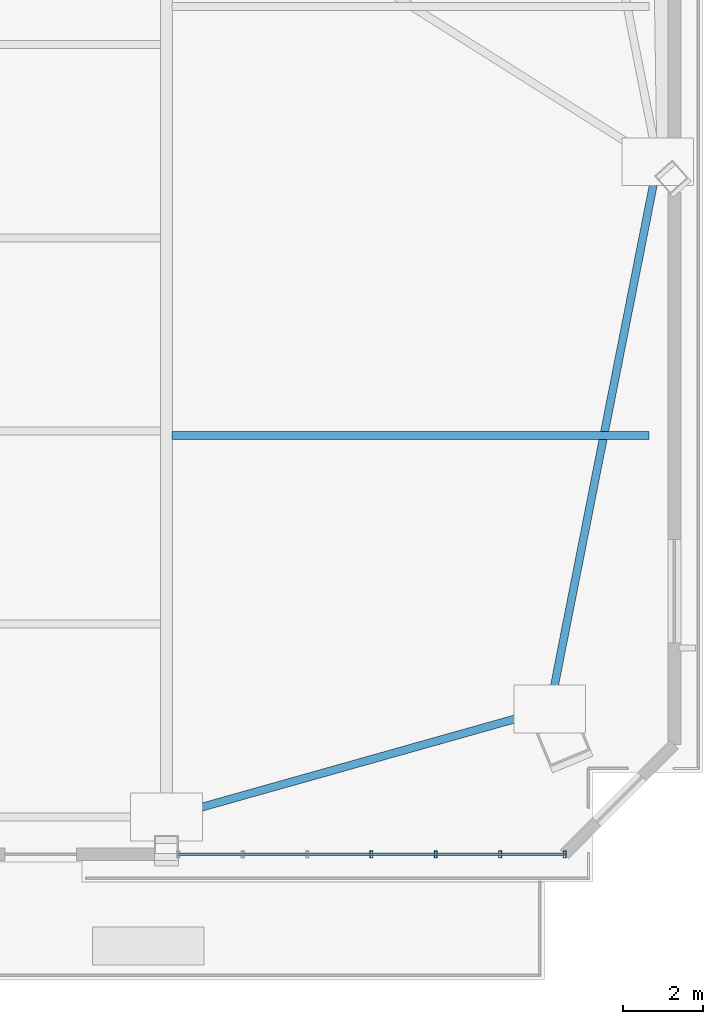
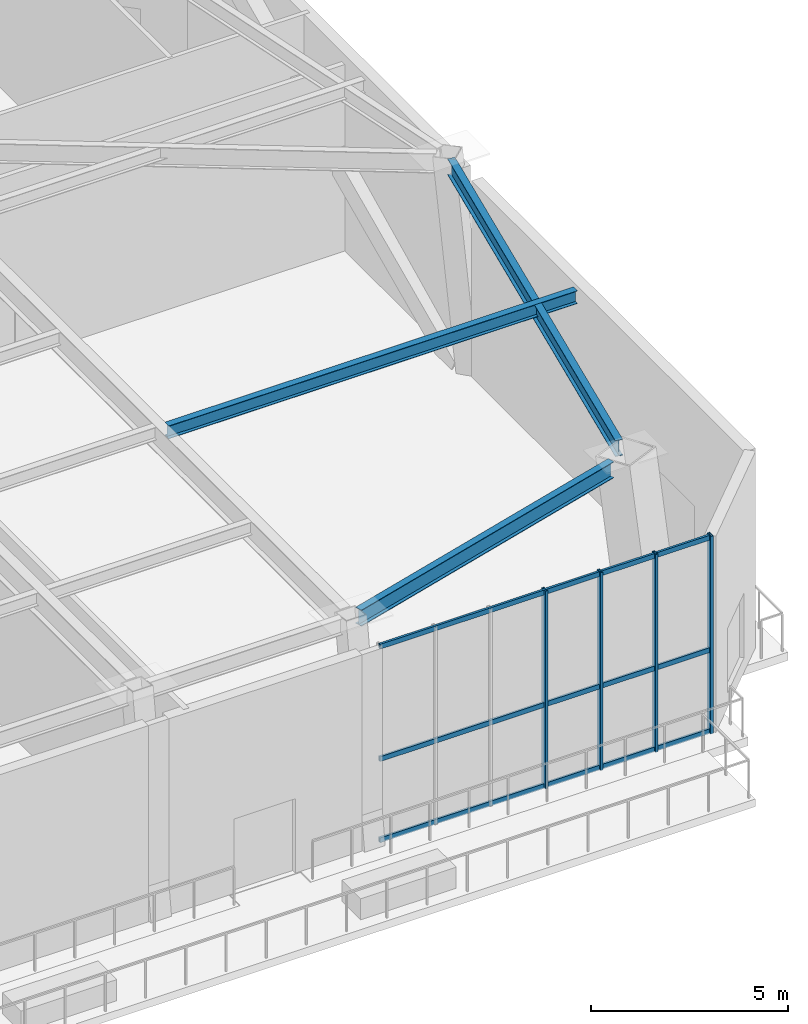
# One storey, part 6 of 16: 7 members, 3 beams, 1 element without a shape of its own.
"""IFC4 building model written with IfcOpenShell, lengths in metres."""

from ifc_helpers import new_model, si_unit, direction, frame, origin, origin_2d, place, context, subcontext, project, spatial, hollow_rectangle, i_section, extrude, source, transform, mapped, material, layer, layer_set, material_profile, profile_set, type_object, element, aggregate, save


model = new_model("IFC4")

# Units and contexts
model_context = context("Model", 3, precision=1e-05, world=origin(), true_north=direction((0.0, 1.0)))
body_context = subcontext(model_context, "Body", "Model", "MODEL_VIEW")
ifc_project = project(units=[si_unit("LENGTHUNIT", "METRE"), si_unit("AREAUNIT", "SQUARE_METRE"), si_unit("VOLUMEUNIT", "CUBIC_METRE"), si_unit("PLANEANGLEUNIT", "RADIAN"), si_unit("MASSUNIT", "GRAM", prefix="KILO")], contexts=[model_context])

# Site, building, storey
site_placement = place(None, origin())
site = spatial("IfcSite", under=ifc_project, at=site_placement, CompositionType="ELEMENT")
building_placement = place(site_placement, origin())
building = spatial("IfcBuilding", under=site, at=building_placement, Name="Giltprow Tower", CompositionType="ELEMENT")
storey_placement = place(building_placement, frame((0.0, 0.0, 220.199951171875)))
storey = spatial("IfcBuildingStorey", under=building, at=storey_placement, Name="L56", CompositionType="ELEMENT", Elevation=220.199951171875)

# Beams
ifc_material_1 = material(Name="Structural steel Q355B", Category="steel")
ifc_material_profile_1 = material_profile(ifc_material_1, i_section(OverallWidth=0.199951171875, OverallDepth=0.5, WebThickness=0.010009765625, FlangeThickness=0.01611328125, at=origin_2d()), Name="HN 500x200x10x16")
ifc_profile_set_1 = profile_set([ifc_material_profile_1], Name="Structural steel Q355B")
beam_type_1 = type_object("IfcBeamType", Name="BM-SPAN-HN500", PredefinedType="SPANDREL", material=ifc_profile_set_1)
shared_shape_1 = source(origin(), body_context, "Body", "SweptSolid", [
    extrude(i_section(OverallWidth=0.199951171875, OverallDepth=0.5, WebThickness=0.010009765625, FlangeThickness=0.01611328125, at=origin_2d()), origin(), (0.0, 0.0, 1.0), 9.164306640625),
])
beam_1_placement = place(storey_placement, frame((50.823974609375, 13.326904296875, 6.3349609375), z_axis=(0.962531726168, 0.27116909138, 0.0), x_axis=(-0.27116909138, 0.962531726168, 0.0)))
element("IfcBeam", 1, at=beam_1_placement, inside=storey, type_object=beam_type_1, Name="L56 Perimeter Spandrel Beam S4-MC_SE", PredefinedType="SPANDREL", context=body_context, shape_type="MappedRepresentation", body=[
    mapped(shared_shape_1, transform((0.0, 0.0, 0.0), x_axis=(1.0, 0.0, 0.0), y_axis=(0.0, 1.0, 0.0), z_axis=(0.0, 0.0, 1.0), scale=1.0)),
])
shared_shape_2 = source(origin(), body_context, "Body", "SweptSolid", [
    extrude(i_section(OverallWidth=0.199951171875, OverallDepth=0.5, WebThickness=0.010009765625, FlangeThickness=0.01611328125, at=origin_2d()), origin(), (0.0, 0.0, 1.0), 13.162109375),
])
beam_2_placement = place(storey_placement, frame((60.263916015625, 16.48193359375, 6.3349609375), z_axis=(0.193593566524, 0.98108181667, 0.0), x_axis=(-0.98108181667, 0.193593566524, 0.0)))
element("IfcBeam", 2, at=beam_2_placement, inside=storey, type_object=beam_type_1, Name="L56 Perimeter Spandrel Beam MC_SE-E_MID", PredefinedType="SPANDREL", context=body_context, shape_type="MappedRepresentation", body=[
    mapped(shared_shape_2, transform((0.0, 0.0, 0.0), x_axis=(1.0, 0.0, 0.0), y_axis=(0.0, 1.0, 0.0), z_axis=(0.0, 0.0, 1.0), scale=1.0)),
])
ifc_material_profile_2 = material_profile(ifc_material_1, i_section(OverallWidth=0.199951171875, OverallDepth=0.39990234375, WebThickness=0.008056640625, FlangeThickness=0.012939453125, at=origin_2d()), Name="HN 400x200x8x13")
ifc_profile_set_2 = profile_set([ifc_material_profile_2], Name="Structural steel Q355B")
beam_type_2 = type_object("IfcBeamType", Name="BM-JOIST-HN400", PredefinedType="JOIST", material=ifc_profile_set_2)
shared_shape_3 = source(origin(), body_context, "Body", "SweptSolid", [
    extrude(i_section(OverallWidth=0.199951171875, OverallDepth=0.39990234375, WebThickness=0.008056640625, FlangeThickness=0.012939453125, at=origin_2d()), origin(), (0.0, 0.0, 1.0), 11.951904296875),
])
beam_3_placement = place(storey_placement, frame((50.695068359375, 22.81591796875, 6.385009765625), z_axis=(1.0, 0.0, 0.0), x_axis=(0.0, 1.0, 0.0)))
element("IfcBeam", 3, at=beam_3_placement, inside=storey, type_object=beam_type_2, Name="L56 East Wing Floor Joist 1", PredefinedType="JOIST", context=body_context, shape_type="MappedRepresentation", body=[
    mapped(shared_shape_3, transform((0.0, 0.0, 0.0), x_axis=(1.0, 0.0, 0.0), y_axis=(0.0, 1.0, 0.0), z_axis=(0.0, 0.0, 1.0), scale=1.0)),
])

# Curtain wall, members
ifc_material_2 = material(Name="Anodized bronze", Category="metal")
ifc_layer = layer(ifc_material_2, 0.179931640625, Name="Anodized bronze")
ifc_layer_set = layer_set([ifc_layer], Name="Anodized bronze")
curtain_wall_type = type_object("IfcCurtainWallType", Name="CW-SKYGARDEN", PredefinedType="NOTDEFINED", material=ifc_layer_set)
curtain_wall_placement = place(storey_placement, origin())
curtain_wall = element("IfcCurtainWall", 4, at=curtain_wall_placement, inside=storey, type_object=curtain_wall_type, Name="L56 South Recessed Curtain Wall 6", PredefinedType="NOTDEFINED")
ifc_material_profile_3 = material_profile(ifc_material_2, hollow_rectangle(XDim=0.06494140625, YDim=0.14990234375, WallThickness=0.006103515625, at=origin_2d()), Name="RHS 150x65x6")
ifc_profile_set_3 = profile_set([ifc_material_profile_3], Name="Anodized bronze")
member_type_1 = type_object("IfcMemberType", Name="CW-TRANSOM-150x65", PredefinedType="USERDEFINED", material=ifc_profile_set_3)
shared_shape_4 = source(origin(), body_context, "Body", "SweptSolid", [
    extrude(hollow_rectangle(XDim=0.06494140625, YDim=0.14990234375, WallThickness=0.006103515625, at=origin_2d()), origin(), (0.0, 0.0, 1.0), 9.677978515625),
])
member_1_placement = place(storey_placement, frame((50.85009765625, 12.318115234375, 0.0400390625), z_axis=(1.0, 0.0, 0.0), x_axis=(0.0, 1.0, 0.0)))
member_1 = element("IfcMember", 5, at=member_1_placement, type_object=member_type_1, Name="L56 South Recessed Curtain Wall 6 Transom 1", ObjectType="TRANSOM", PredefinedType="USERDEFINED", context=body_context, shape_type="MappedRepresentation", body=[
    mapped(shared_shape_4, transform((0.0, 0.0, 0.0), x_axis=(1.0, 0.0, 0.0), y_axis=(0.0, 1.0, 0.0), z_axis=(0.0, 0.0, 1.0), scale=1.0)),
])
member_2_placement = place(storey_placement, frame((50.85009765625, 12.318115234375, 2.547119140625), z_axis=(1.0, 0.0, 0.0), x_axis=(0.0, 1.0, 0.0)))
member_2 = element("IfcMember", 6, at=member_2_placement, type_object=member_type_1, Name="L56 South Recessed Curtain Wall 6 Transom 2", ObjectType="TRANSOM", PredefinedType="USERDEFINED", context=body_context, shape_type="MappedRepresentation", body=[
    mapped(shared_shape_4, transform((0.0, 0.0, 0.0), x_axis=(1.0, 0.0, 0.0), y_axis=(0.0, 1.0, 0.0), z_axis=(0.0, 0.0, 1.0), scale=1.0)),
])
member_3_placement = place(storey_placement, frame((50.85009765625, 12.318115234375, 6.025146484375), z_axis=(1.0, 0.0, 0.0), x_axis=(0.0, 1.0, 0.0)))
member_3 = element("IfcMember", 7, at=member_3_placement, type_object=member_type_1, Name="L56 South Recessed Curtain Wall 6 Transom 3", ObjectType="TRANSOM", PredefinedType="USERDEFINED", context=body_context, shape_type="MappedRepresentation", body=[
    mapped(shared_shape_4, transform((0.0, 0.0, 0.0), x_axis=(1.0, 0.0, 0.0), y_axis=(0.0, 1.0, 0.0), z_axis=(0.0, 0.0, 1.0), scale=1.0)),
])
ifc_material_profile_4 = material_profile(ifc_material_2, hollow_rectangle(XDim=0.074951171875, YDim=0.179931640625, WallThickness=0.008056640625, at=origin_2d()), Name="RHS 180x75x8")
ifc_profile_set_4 = profile_set([ifc_material_profile_4], Name="Anodized bronze")
member_type_2 = type_object("IfcMemberType", Name="CW-MULLION-180x75", PredefinedType="MULLION", material=ifc_profile_set_4)
shared_shape_5 = source(origin(), body_context, "Body", "SweptSolid", [
    extrude(hollow_rectangle(XDim=0.074951171875, YDim=0.179931640625, WallThickness=0.008056640625, at=origin_2d()), origin(), (0.0, 0.0, 1.0), 6.1201171875),
])
member_4_placement = place(storey_placement, frame((55.68896484375, 12.318115234375, -0.02001953125), z_axis=(0.0, 0.0, 1.0), x_axis=(1.0, 0.0, 0.0)))
member_4 = element("IfcMember", 8, at=member_4_placement, type_object=member_type_2, Name="L56 South Recessed Curtain Wall 6 Mullion 4", PredefinedType="MULLION", context=body_context, shape_type="MappedRepresentation", body=[
    mapped(shared_shape_5, transform((0.0, 0.0, 0.0), x_axis=(1.0, 0.0, 0.0), y_axis=(0.0, 1.0, 0.0), z_axis=(0.0, 0.0, 1.0), scale=1.0)),
])
member_5_placement = place(storey_placement, frame((57.302001953125, 12.318115234375, -0.02001953125), z_axis=(0.0, 0.0, 1.0), x_axis=(1.0, 0.0, 0.0)))
member_5 = element("IfcMember", 9, at=member_5_placement, type_object=member_type_2, Name="L56 South Recessed Curtain Wall 6 Mullion 5", PredefinedType="MULLION", context=body_context, shape_type="MappedRepresentation", body=[
    mapped(shared_shape_5, transform((0.0, 0.0, 0.0), x_axis=(1.0, 0.0, 0.0), y_axis=(0.0, 1.0, 0.0), z_axis=(0.0, 0.0, 1.0), scale=1.0)),
])
member_6_placement = place(storey_placement, frame((58.9150390625, 12.318115234375, -0.02001953125), z_axis=(0.0, 0.0, 1.0), x_axis=(1.0, 0.0, 0.0)))
member_6 = element("IfcMember", 10, at=member_6_placement, type_object=member_type_2, Name="L56 South Recessed Curtain Wall 6 Mullion 6", PredefinedType="MULLION", context=body_context, shape_type="MappedRepresentation", body=[
    mapped(shared_shape_5, transform((0.0, 0.0, 0.0), x_axis=(1.0, 0.0, 0.0), y_axis=(0.0, 1.0, 0.0), z_axis=(0.0, 0.0, 1.0), scale=1.0)),
])
member_7_placement = place(storey_placement, frame((60.528076171875, 12.318115234375, -0.02001953125), z_axis=(0.0, 0.0, 1.0), x_axis=(1.0, 0.0, 0.0)))
member_7 = element("IfcMember", 11, at=member_7_placement, type_object=member_type_2, Name="L56 South Recessed Curtain Wall 6 Mullion 7", PredefinedType="MULLION", context=body_context, shape_type="MappedRepresentation", body=[
    mapped(shared_shape_5, transform((0.0, 0.0, 0.0), x_axis=(1.0, 0.0, 0.0), y_axis=(0.0, 1.0, 0.0), z_axis=(0.0, 0.0, 1.0), scale=1.0)),
])
aggregate(curtain_wall, [member_4, member_5, member_6, member_7, member_1, member_2, member_3])

save(model, "model.ifc")
